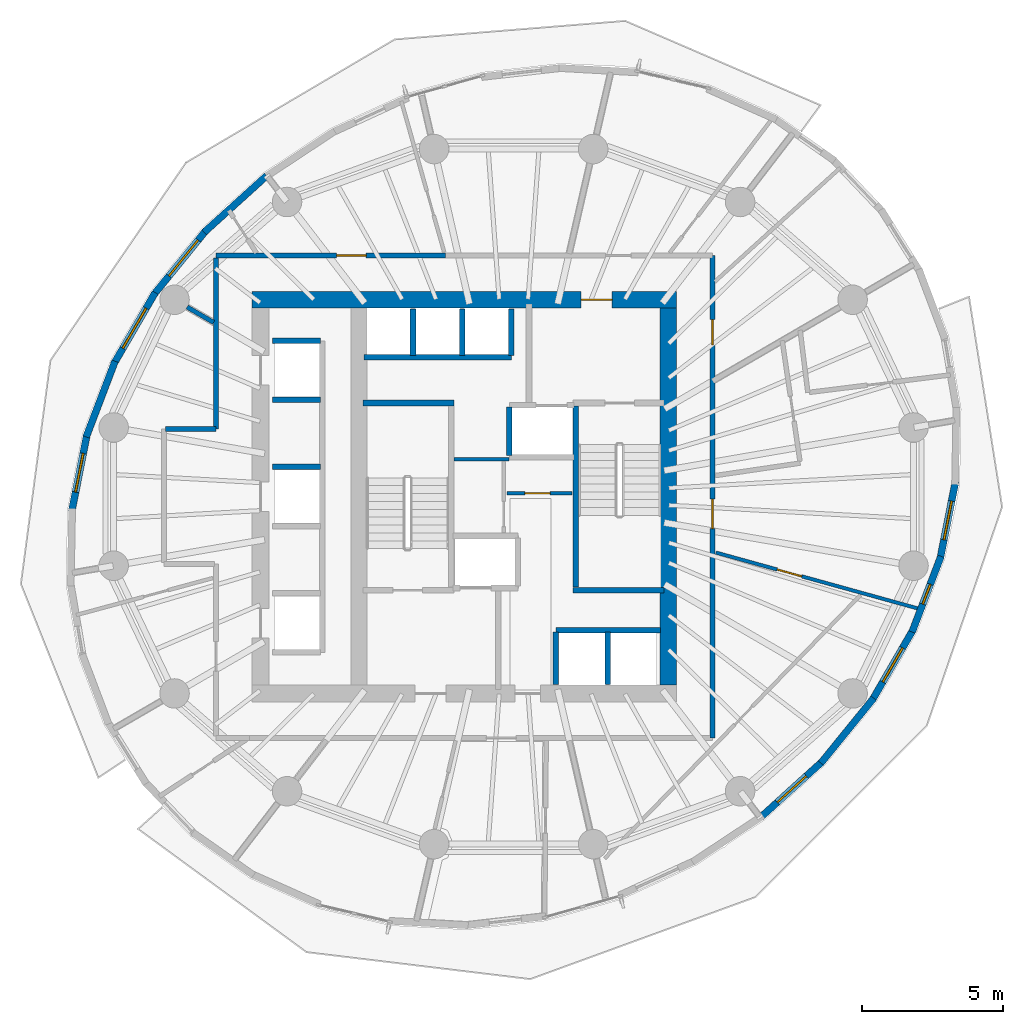
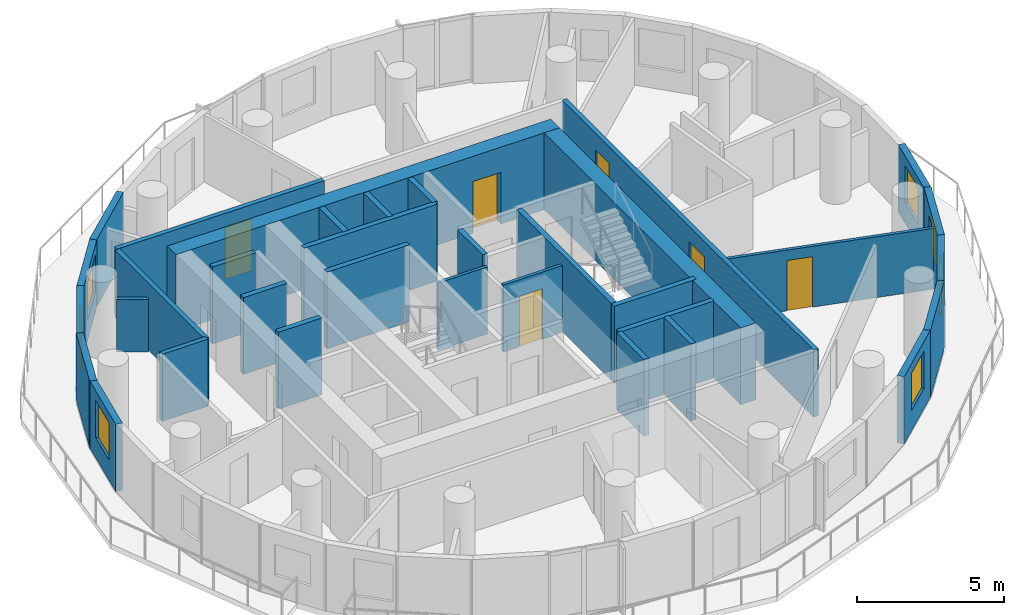
# One storey, part 6 of 13: 34 walls, 7 windows, 6 doors, 13 openings.
"""IFC4 building model written with IfcOpenShell, lengths in metres."""

from ifc_helpers import new_model, si_unit, direction, frame, frame_2d, origin, place, context, subcontext, project, spatial, rectangle, extrude, material, layer, layer_set, type_object, element, fill, save


model = new_model("IFC4")

# Units and contexts
model_context = context("Model", 3, precision=1e-05, world=origin(), true_north=direction((0.0, 1.0)))
body_context = subcontext(model_context, "Body", "Model", "MODEL_VIEW")
ifc_project = project(units=[si_unit("LENGTHUNIT", "METRE"), si_unit("AREAUNIT", "SQUARE_METRE"), si_unit("VOLUMEUNIT", "CUBIC_METRE"), si_unit("PLANEANGLEUNIT", "RADIAN"), si_unit("MASSUNIT", "GRAM", prefix="KILO")], contexts=[model_context])

# Site, building, storey
site_placement = place(None, origin())
site = spatial("IfcSite", under=ifc_project, at=site_placement, CompositionType="ELEMENT")
building_placement = place(site_placement, origin())
building = spatial("IfcBuilding", under=site, at=building_placement, Name="Veldorim Arch Residences", CompositionType="ELEMENT")
storey_placement = place(building_placement, frame((0.0, 0.0, 155.360107421875)))
storey = spatial("IfcBuildingStorey", under=building, at=storey_placement, Name="L46", CompositionType="ELEMENT", Elevation=155.360107421875)

# Wall, opening, door
ifc_material_1 = material(Name="Acoustic Gypsum Board", Category="gypsum")
ifc_layer_1 = layer(ifc_material_1, 0.125, Name="Acoustic Stud Room Partition Wall 125")
ifc_layer_set_1 = layer_set([ifc_layer_1], Name="Acoustic Gypsum Board")
wall_type_1 = type_object("IfcWallType", Name="Acoustic Stud Room Partition Wall 125", PredefinedType="PARTITIONING", material=ifc_layer_set_1)
wall_1_placement = place(storey_placement, frame((31.760009765625, 24.1201171875, 0.0), z_axis=(0.0, 0.0, 1.0), x_axis=(1.0, 0.0, 0.0)))
wall_1 = element("IfcWall", 1, at=wall_1_placement, inside=storey, type_object=wall_type_1, Name="L46 interior wall WL-CA-L46-2", PredefinedType="PARTITIONING", context=body_context, shape_type="SweptSolid", body=[
    extrude(rectangle(XDim=2.320068359375, YDim=0.125, at=frame_2d((1.16015625, 0.0))), origin(), (0.0, 0.0, 1.0), 2.794921875),
])
opening_1_placement = place(wall_1_placement, frame((0.639892578125, 0.0, 0.0)))
opening_1 = element("IfcOpeningElement", 2, at=opening_1_placement, cuts=wall_1, Name="Opening DR-SVC", PredefinedType="OPENING", context=body_context, shape_type="SweptSolid", body=[
    extrude(rectangle(XDim=0.89990234375, YDim=2.10009765625, at=frame_2d((0.449951171875, 1.050048828125))), frame((0.0, 0.072509765625, 0.0), z_axis=(0.0, -1.0, 0.0), x_axis=(1.0, 0.0, 0.0)), (0.0, 0.0, 1.0), 0.14501953125),
])
ifc_material_2 = material(Name="Fire-Rated Steel", Category="steel")
door_type_1 = type_object("IfcDoorType", Name="Riser, Shelter & Plant Room Rated Steel Door 900x2100", OperationType="SINGLE_SWING_LEFT", PredefinedType="DOOR", material=ifc_material_2)
door_1_placement = place(opening_1_placement, origin())
door_1 = element("IfcDoor", 3, at=door_1_placement, inside=storey, type_object=door_type_1, Name="L46 interior door DR-L46-CA2", OperationType="SINGLE_SWING_RIGHT", OverallHeight=2.10009765625, OverallWidth=0.89990234375, PredefinedType="DOOR", context=body_context, shape_type="SweptSolid", body=[
    extrude(rectangle(XDim=0.89990234375, YDim=2.10009765625, at=frame_2d((0.449951171875, 1.050048828125))), frame((0.0, 0.02490234375, 0.0), z_axis=(0.0, -1.0, 0.0), x_axis=(1.0, 0.0, 0.0)), (0.0, 0.0, 1.0), 0.050048828125),
])
fill(opening_1, door_1)

# Wall
wall_2_placement = place(storey_placement, frame((29.889892578125, 25.330078125, 0.0), z_axis=(0.0, 0.0, 1.0), x_axis=(1.0, 0.0, 0.0)))
element("IfcWall", 4, at=wall_2_placement, inside=storey, type_object=wall_type_1, Name="L46 interior wall WL-CA-L46-N", PredefinedType="PARTITIONING", context=body_context, shape_type="SweptSolid", body=[
    extrude(rectangle(XDim=1.940185546875, YDim=0.125, at=frame_2d((0.97021484375, 0.0))), origin(), (0.0, 0.0, 1.0), 2.794921875),
])

# Wall, opening, door
wall_3_placement = place(storey_placement, frame((46.46630859375, 19.998046875, 0.0), z_axis=(0.0, 0.0, 1.0), x_axis=(-0.963794664313, 0.26664554195, 0.0)))
wall_3 = element("IfcWall", 5, at=wall_3_placement, inside=storey, type_object=wall_type_1, Name="L46 interior wall WL-RES-L46-017", PredefinedType="PARTITIONING", context=body_context, shape_type="SweptSolid", body=[
    extrude(rectangle(XDim=7.543701171875, YDim=0.125, at=frame_2d((3.77197265625, 0.0))), origin(), (0.0, 0.0, 1.0), 2.531982421875),
])
opening_2_placement = place(wall_3_placement, frame((4.380859375, 0.0, 0.0)))
opening_2 = element("IfcOpeningElement", 6, at=opening_2_placement, cuts=wall_3, Name="Opening DR-INT", PredefinedType="OPENING", context=body_context, shape_type="SweptSolid", body=[
    extrude(rectangle(XDim=0.89990234375, YDim=2.10009765625, at=frame_2d((0.449951171875, 1.050048828125))), frame((0.0, 0.072509765625, 0.0), z_axis=(0.0, -1.0, 0.0), x_axis=(1.0, 0.0, 0.0)), (0.0, 0.0, 1.0), 0.14501953125),
])
ifc_material_3 = material(Name="Engineered Timber", Category="wood")
door_type_2 = type_object("IfcDoorType", Name="Apartment Internal Room Timber Door 900x2100", OperationType="SINGLE_SWING_LEFT", PredefinedType="DOOR", material=ifc_material_3)
door_2_placement = place(opening_2_placement, origin())
door_2 = element("IfcDoor", 7, at=door_2_placement, inside=storey, type_object=door_type_2, Name="L46 interior door DR-RES-L46-006", OperationType="SINGLE_SWING_RIGHT", OverallHeight=2.10009765625, OverallWidth=0.89990234375, PredefinedType="DOOR", context=body_context, shape_type="SweptSolid", body=[
    extrude(rectangle(XDim=0.89990234375, YDim=2.10009765625, at=frame_2d((0.449951171875, 1.050048828125))), frame((0.0, 0.02490234375, 0.0), z_axis=(0.0, -1.0, 0.0), x_axis=(1.0, 0.0, 0.0)), (0.0, 0.0, 1.0), 0.050048828125),
])
fill(opening_2, door_2)

# Wall, openings, doors
ifc_material_4 = material(Name="Lightweight Masonry Block & Gypsum", Category="masonry")
ifc_layer_2 = layer(ifc_material_4, 0.179931640625, Name="Compartment & Corridor Fire-Rated Party Wall 180")
ifc_layer_set_2 = layer_set([ifc_layer_2], Name="Lightweight Masonry Block & Gypsum")
wall_type_2 = type_object("IfcWallType", Name="Compartment & Corridor Fire-Rated Party Wall 180", PredefinedType="PARTITIONING", material=ifc_layer_set_2)
wall_4_placement = place(storey_placement, frame((39.080078125, 32.580078125, 0.0), z_axis=(0.0, 0.0, 1.0), x_axis=(0.0, -1.0, 0.0)))
wall_4 = element("IfcWall", 8, at=wall_4_placement, inside=storey, type_object=wall_type_2, Name="L46 interior wall WL-RES-L46-002", PredefinedType="PARTITIONING", context=body_context, shape_type="SweptSolid", body=[
    extrude(rectangle(XDim=17.16015625, YDim=0.179931640625, at=frame_2d((8.580078125, 0.0))), origin(), (0.0, 0.0, 1.0), 2.794921875),
])
opening_3_placement = place(wall_4_placement, frame((8.667236328125, 0.0, 0.0)))
opening_3 = element("IfcOpeningElement", 9, at=opening_3_placement, cuts=wall_4, Name="Opening DR-FLT", PredefinedType="OPENING", context=body_context, shape_type="SweptSolid", body=[
    extrude(rectangle(XDim=1.050048828125, YDim=2.14990234375, at=frame_2d((0.52490234375, 1.074951171875))), frame((0.0, 0.099853515625, 0.0), z_axis=(0.0, -1.0, 0.0), x_axis=(1.0, 0.0, 0.0)), (0.0, 0.0, 1.0), 0.199951171875),
])
opening_4_placement = place(wall_4_placement, frame((2.283935546875, 0.0, 0.0)))
opening_4 = element("IfcOpeningElement", 10, at=opening_4_placement, cuts=wall_4, Name="Opening DR-SVC", PredefinedType="OPENING", context=body_context, shape_type="SweptSolid", body=[
    extrude(rectangle(XDim=0.89990234375, YDim=2.10009765625, at=frame_2d((0.449951171875, 1.050048828125))), frame((0.0, 0.099853515625, 0.0), z_axis=(0.0, -1.0, 0.0), x_axis=(1.0, 0.0, 0.0)), (0.0, 0.0, 1.0), 0.199951171875),
])
ifc_material_5 = material(Name="Fire-Rated Timber", Category="wood")
door_type_3 = type_object("IfcDoorType", Name="Apartment Entrance Solid-Core Fire Door 1050x2150", OperationType="SINGLE_SWING_LEFT", PredefinedType="DOOR", material=ifc_material_5)
door_3_placement = place(opening_3_placement, origin())
door_3 = element("IfcDoor", 11, at=door_3_placement, inside=storey, type_object=door_type_3, Name="L46 interior door DR-RES-L46-004", OperationType="SINGLE_SWING_RIGHT", OverallHeight=2.14990234375, OverallWidth=1.050048828125, PredefinedType="DOOR", context=body_context, shape_type="SweptSolid", body=[
    extrude(rectangle(XDim=1.050048828125, YDim=2.14990234375, at=frame_2d((0.52490234375, 1.074951171875))), frame((0.0, 0.02490234375, 0.0), z_axis=(0.0, -1.0, 0.0), x_axis=(1.0, 0.0, 0.0)), (0.0, 0.0, 1.0), 0.050048828125),
])
fill(opening_3, door_3)
door_4_placement = place(opening_4_placement, origin())
door_4 = element("IfcDoor", 12, at=door_4_placement, inside=storey, type_object=door_type_1, Name="L46 interior door DR-RES-L46-010", OperationType="SINGLE_SWING_RIGHT", OverallHeight=2.10009765625, OverallWidth=0.89990234375, PredefinedType="DOOR", context=body_context, shape_type="SweptSolid", body=[
    extrude(rectangle(XDim=0.89990234375, YDim=2.10009765625, at=frame_2d((0.449951171875, 1.050048828125))), frame((0.0, 0.02490234375, 0.0), z_axis=(0.0, -1.0, 0.0), x_axis=(1.0, 0.0, 0.0)), (0.0, 0.0, 1.0), 0.050048828125),
])
fill(opening_4, door_4)

# Wall, opening, door
wall_5_placement = place(storey_placement, frame((21.419921875, 32.580078125, 0.0), z_axis=(0.0, 0.0, 1.0), x_axis=(1.0, 0.0, 0.0)))
wall_5 = element("IfcWall", 13, at=wall_5_placement, inside=storey, type_object=wall_type_2, Name="L46 interior wall WL-RES-L46-004", PredefinedType="PARTITIONING", context=body_context, shape_type="SweptSolid", body=[
    extrude(rectangle(XDim=8.16455078125, YDim=0.179931640625, at=frame_2d((4.082275390625, 0.0))), origin(), (0.0, 0.0, 1.0), 2.794921875),
])
opening_5_placement = place(wall_5_placement, frame((4.290771484375, 0.0, 0.0)))
opening_5 = element("IfcOpeningElement", 14, at=opening_5_placement, cuts=wall_5, Name="Opening DR-FLT", PredefinedType="OPENING", context=body_context, shape_type="SweptSolid", body=[
    extrude(rectangle(XDim=1.050048828125, YDim=2.14990234375, at=frame_2d((0.52490234375, 1.074951171875))), frame((0.0, 0.099853515625, 0.0), z_axis=(0.0, -1.0, 0.0), x_axis=(1.0, 0.0, 0.0)), (0.0, 0.0, 1.0), 0.199951171875),
])
door_5_placement = place(opening_5_placement, origin())
door_5 = element("IfcDoor", 15, at=door_5_placement, inside=storey, type_object=door_type_3, Name="L46 interior door DR-RES-L46-012", OperationType="SINGLE_SWING_RIGHT", OverallHeight=2.14990234375, OverallWidth=1.050048828125, PredefinedType="DOOR", context=body_context, shape_type="SweptSolid", body=[
    extrude(rectangle(XDim=1.050048828125, YDim=2.14990234375, at=frame_2d((0.52490234375, 1.074951171875))), frame((0.0, 0.02490234375, 0.0), z_axis=(0.0, -1.0, 0.0), x_axis=(1.0, 0.0, 0.0)), (0.0, 0.0, 1.0), 0.050048828125),
])
fill(opening_5, door_5)

# Walls
wall_6_placement = place(storey_placement, frame((21.419921875, 26.39990234375, 0.0), z_axis=(0.0, 0.0, 1.0), x_axis=(0.0, 1.0, 0.0)))
element("IfcWall", 16, at=wall_6_placement, inside=storey, type_object=wall_type_2, Name="L46 interior wall WL-RES-L46-005", PredefinedType="PARTITIONING", context=body_context, shape_type="SweptSolid", body=[
    extrude(rectangle(XDim=6.080078125, YDim=0.179931640625, at=frame_2d((3.0400390625, 0.0))), origin(), (0.0, 0.0, 1.0), 2.794921875),
])
wall_7_placement = place(storey_placement, frame((19.6298828125, 26.39990234375, 0.0), z_axis=(0.0, 0.0, 1.0), x_axis=(1.0, 0.0, 0.0)))
element("IfcWall", 17, at=wall_7_placement, inside=storey, type_object=wall_type_2, Name="L46 interior wall WL-RES-L46-010", PredefinedType="PARTITIONING", context=body_context, shape_type="SweptSolid", body=[
    extrude(rectangle(XDim=1.7900390625, YDim=0.179931640625, at=frame_2d((0.89501953125, 0.0))), origin(), (0.0, 0.0, 1.0), 2.794921875),
])
ifc_material_6 = material(Name="Concrete C50/60", Category="concrete")
ifc_layer_3 = layer(ifc_material_6, 0.199951171875, Name="Core Stair & Lift Shaft Enclosure Wall 200")
ifc_layer_set_3 = layer_set([ifc_layer_3], Name="Concrete C50/60")
wall_type_3 = type_object("IfcWallType", Name="Core Stair & Lift Shaft Enclosure Wall 200", PredefinedType="SHEAR", material=ifc_layer_set_3)
wall_8_placement = place(storey_placement, frame((26.64990234375, 27.330078125, 0.0), z_axis=(0.0, 0.0, 1.0), x_axis=(1.0, 0.0, 0.0)))
element("IfcWall", 18, at=wall_8_placement, inside=storey, type_object=wall_type_3, Name="L46 shaft wall WL-SHF-L46-ST1-N", PredefinedType="SHEAR", context=body_context, shape_type="SweptSolid", body=[
    extrude(rectangle(XDim=3.239990234375, YDim=0.199951171875, at=frame_2d((1.6201171875, 0.0))), origin(), (0.0, 0.0, 1.0), 3.199951171875),
])
wall_9_placement = place(storey_placement, frame((34.2099609375, 20.780029296875, 0.0), z_axis=(0.0, 0.0, 1.0), x_axis=(0.0, 1.0, 0.0)))
element("IfcWall", 19, at=wall_9_placement, inside=storey, type_object=wall_type_3, Name="L46 shaft wall WL-SHF-L46-ST2-W", PredefinedType="SHEAR", context=body_context, shape_type="SweptSolid", body=[
    extrude(rectangle(XDim=6.43994140625, YDim=0.199951171875, at=frame_2d((3.219970703125, 0.0))), origin(), (0.0, 0.0, 1.0), 3.199951171875),
])
wall_10_placement = place(storey_placement, frame((34.110107421875, 20.669921875, 0.0), z_axis=(0.0, 0.0, 1.0), x_axis=(1.0, 0.0, 0.0)))
element("IfcWall", 20, at=wall_10_placement, inside=storey, type_object=wall_type_3, Name="L46 shaft wall WL-SHF-L46-ST2-S", PredefinedType="SHEAR", context=body_context, shape_type="SweptSolid", body=[
    extrude(rectangle(XDim=3.239990234375, YDim=0.199951171875, at=frame_2d((1.6201171875, 0.0))), origin(), (0.0, 0.0, 1.0), 3.199951171875),
])
for number, where, z_axis, x_axis, name in (
    (21, (31.85009765625, 25.469970703125, 0.0), (0.0, 0.0, 1.0), (0.0, 1.0, 0.0), "L46 shaft wall WL-FL02-L46-W"),
    (22, (23.419921875, 29.5400390625, 0.0), (0.0, 0.0, 1.0), (1.0, 0.0, 0.0), "L46 shaft wall WL-B2-L46-N"),
    (23, (23.419921875, 25.06005859375, 0.0), (0.0, 0.0, 1.0), (1.0, 0.0, 0.0), "L46 shaft wall WL-B2-L46-D2A"),
    (24, (23.419921875, 27.43994140625, 0.0), (0.0, 0.0, 1.0), (1.0, 0.0, 0.0), "L46 shaft wall WL-B2-L46-D2B"),
):
    element("IfcWall", number, at=place(storey_placement, frame(where, z_axis=z_axis, x_axis=x_axis)), inside=storey, type_object=wall_type_3, Name=name, PredefinedType="SHEAR", context=body_context, shape_type="SweptSolid", body=[
        extrude(rectangle(XDim=1.7099609375, YDim=0.199951171875, at=frame_2d((0.85498046875, 0.0))), origin(), (0.0, 0.0, 1.0), 3.199951171875),
    ])
wall_11_placement = place(storey_placement, frame((26.679931640625, 28.949951171875, 0.0), z_axis=(0.0, 0.0, 1.0), x_axis=(1.0, 0.0, 0.0)))
element("IfcWall", 25, at=wall_11_placement, inside=storey, type_object=wall_type_3, Name="L46 shaft wall WL-B3-L46-S", PredefinedType="SHEAR", context=body_context, shape_type="SweptSolid", body=[
    extrude(rectangle(XDim=5.239990234375, YDim=0.199951171875, at=frame_2d((2.6201171875, 0.0))), origin(), (0.0, 0.0, 1.0), 3.199951171875),
])
for number, where, z_axis, x_axis, name in (
    (26, (31.919921875, 29.02001953125, 0.0), (0.0, 0.0, 1.0), (0.0, 1.0, 0.0), "L46 shaft wall WL-B3-L46-E"),
    (27, (28.425048828125, 29.02001953125, 0.0), (0.0, 0.0, 1.0), (0.0, 1.0, 0.0), "L46 shaft wall WL-B3-L46-D1"),
    (28, (30.175048828125, 29.02001953125, 0.0), (0.0, 0.0, 1.0), (0.0, 1.0, 0.0), "L46 shaft wall WL-B3-L46-D2"),
):
    element("IfcWall", number, at=place(storey_placement, frame(where, z_axis=z_axis, x_axis=x_axis)), inside=storey, type_object=wall_type_3, Name=name, PredefinedType="SHEAR", context=body_context, shape_type="SweptSolid", body=[
        extrude(rectangle(XDim=1.659912109375, YDim=0.199951171875, at=frame_2d((0.830078125, 0.0))), origin(), (0.0, 0.0, 1.0), 3.199951171875),
    ])
wall_12_placement = place(storey_placement, frame((33.5, 19.25, 0.0), z_axis=(0.0, 0.0, 1.0), x_axis=(1.0, 0.0, 0.0)))
element("IfcWall", 29, at=wall_12_placement, inside=storey, type_object=wall_type_3, Name="L46 shaft wall WL-OL-L46-N", PredefinedType="SHEAR", context=body_context, shape_type="SweptSolid", body=[
    extrude(rectangle(XDim=3.719970703125, YDim=0.199951171875, at=frame_2d((1.85986328125, 0.0))), origin(), (0.0, 0.0, 1.0), 3.199951171875),
])
for number, where, z_axis, x_axis, name in (
    (30, (33.5, 17.320068359375, 0.0), (0.0, 0.0, 1.0), (0.0, 1.0, 0.0), "L46 shaft wall WL-OL-L46-W"),
    (31, (35.35009765625, 17.320068359375, 0.0), (0.0, 0.0, 1.0), (0.0, 1.0, 0.0), "L46 shaft wall WL-OL-L46-D1"),
):
    element("IfcWall", number, at=place(storey_placement, frame(where, z_axis=z_axis, x_axis=x_axis)), inside=storey, type_object=wall_type_3, Name=name, PredefinedType="SHEAR", context=body_context, shape_type="SweptSolid", body=[
        extrude(rectangle(XDim=1.85986328125, YDim=0.199951171875, at=frame_2d((0.929931640625, 0.0))), origin(), (0.0, 0.0, 1.0), 3.199951171875),
    ])

# Wall, opening, door
ifc_material_7 = material(Name="Concrete C50/60", Category="concrete")
ifc_layer_4 = layer(ifc_material_7, 0.60009765625, Name="Mid-Upper Central Core Shear Wall 600")
ifc_layer_set_4 = layer_set([ifc_layer_4], Name="Concrete C50/60")
wall_type_4 = type_object("IfcWallType", Name="Mid-Upper Central Core Shear Wall 600", PredefinedType="SHEAR", material=ifc_layer_set_4)
wall_13_placement = place(storey_placement, frame((22.699951171875, 31.0, 0.0), z_axis=(0.0, 0.0, 1.0), x_axis=(1.0, 0.0, 0.0)))
wall_13 = element("IfcWall", 32, at=wall_13_placement, inside=storey, type_object=wall_type_4, Name="L46 central core north shear wall", PredefinedType="SHEAR", context=body_context, shape_type="SweptSolid", body=[
    extrude(rectangle(XDim=15.10009765625, YDim=0.60009765625, at=frame_2d((7.550048828125, 0.0))), origin(), (0.0, 0.0, 1.0), 3.199951171875),
])
opening_6_placement = place(wall_13_placement, frame((11.699951171875, 0.0, 0.0)))
opening_6 = element("IfcOpeningElement", 33, at=opening_6_placement, cuts=wall_13, Name="Opening DR-FFL", PredefinedType="OPENING", context=body_context, shape_type="SweptSolid", body=[
    extrude(rectangle(XDim=1.10009765625, YDim=2.14990234375, at=frame_2d((0.550048828125, 1.074951171875))), frame((0.0, 0.31005859375, 0.0), z_axis=(0.0, -1.0, 0.0), x_axis=(1.0, 0.0, 0.0)), (0.0, 0.0, 1.0), 0.6201171875),
])
ifc_material_8 = material(Name="Fire-Rated Steel & Vision Glass", Category="steel")
door_type_4 = type_object("IfcDoorType", Name="Firefighting Lobby Smoke-Stop Fire Door 1100x2150", OperationType="SINGLE_SWING_LEFT", PredefinedType="DOOR", material=ifc_material_8)
door_6_placement = place(opening_6_placement, origin())
door_6 = element("IfcDoor", 34, at=door_6_placement, inside=storey, type_object=door_type_4, Name="L46 interior door DR-L46-FFL2", OperationType="SINGLE_SWING_LEFT", OverallHeight=2.14990234375, OverallWidth=1.10009765625, PredefinedType="DOOR", context=body_context, shape_type="SweptSolid", body=[
    extrude(rectangle(XDim=1.10009765625, YDim=2.14990234375, at=frame_2d((0.550048828125, 1.074951171875))), frame((0.0, 0.02490234375, 0.0), z_axis=(0.0, -1.0, 0.0), x_axis=(1.0, 0.0, 0.0)), (0.0, 0.0, 1.0), 0.050048828125),
])
fill(opening_6, door_6)

# Walls
wall_14_placement = place(storey_placement, frame((37.5, 17.300048828125, 0.0), z_axis=(0.0, 0.0, 1.0), x_axis=(0.0, 1.0, 0.0)))
element("IfcWall", 35, at=wall_14_placement, inside=storey, type_object=wall_type_4, Name="L46 central core east shear wall", PredefinedType="SHEAR", context=body_context, shape_type="SweptSolid", body=[
    extrude(rectangle(XDim=13.39990234375, YDim=0.60009765625, at=frame_2d((6.699951171875, 0.0))), origin(), (0.0, 0.0, 1.0), 3.199951171875),
])
ifc_material_9 = material(Name="Precast concrete C40/50", Category="concrete")
ifc_layer_5 = layer(ifc_material_9, 0.25, Name="Tower Terracotta Spandrel & Pier Wall 250")
ifc_layer_set_5 = layer_set([ifc_layer_5], Name="Precast concrete C40/50")
wall_type_5 = type_object("IfcWallType", Name="Tower Terracotta Spandrel & Pier Wall 250", PredefinedType="SOLIDWALL", material=ifc_layer_set_5)
wall_15_placement = place(storey_placement, frame((20.994873046875, 33.3984375, 0.0), z_axis=(0.0, 0.0, 1.0), x_axis=(0.741367932595, 0.671098791922, 0.0)))
element("IfcWall", 36, at=wall_15_placement, inside=storey, type_object=wall_type_5, Name="L46 terracotta facade wall 10", PredefinedType="SOLIDWALL", context=body_context, shape_type="SweptSolid", body=[
    extrude(rectangle(XDim=2.998291015625, YDim=0.25, at=frame_2d((1.4990234375, 0.0))), origin(), (0.0, 0.0, 1.0), 2.7998046875),
])

# Wall, opening, window
wall_16_placement = place(storey_placement, frame((19.19287109375, 31.166748046875, 0.0), z_axis=(0.0, 0.0, 1.0), x_axis=(0.630478385784, 0.776206805599, 0.0)))
wall_16 = element("IfcWall", 37, at=wall_16_placement, inside=storey, type_object=wall_type_5, Name="L46 terracotta facade wall 11", PredefinedType="SOLIDWALL", context=body_context, shape_type="SweptSolid", body=[
    extrude(rectangle(XDim=2.97705078125, YDim=0.25, at=frame_2d((1.488525390625, 0.0))), origin(), (0.0, 0.0, 1.0), 2.7998046875),
])
opening_7_placement = place(wall_16_placement, frame((0.873046875, 0.0, 0.85009765625)))
opening_7 = element("IfcOpeningElement", 38, at=opening_7_placement, cuts=wall_16, Name="Opening WN-03", PredefinedType="OPENING", context=body_context, shape_type="SweptSolid", body=[
    extrude(rectangle(XDim=1.64990234375, YDim=1.550048828125, at=frame_2d((0.824951171875, 0.77490234375))), frame((0.0, 0.135009765625, 0.0), z_axis=(0.0, -1.0, 0.0), x_axis=(1.0, 0.0, 0.0)), (0.0, 0.0, 1.0), 0.27001953125),
])
ifc_material_10 = material(Name="Laminated Low-E Glass", Category="glass")
window_type_1 = type_object("IfcWindowType", Name="Residential Wide Window 1650x1550", PartitioningType="SINGLE_PANEL", PredefinedType="WINDOW", material=ifc_material_10)
window_1_placement = place(opening_7_placement, origin())
window_1 = element("IfcWindow", 39, at=window_1_placement, inside=storey, type_object=window_type_1, Name="L46 solar-control facade window 11", OverallHeight=1.550048828125, OverallWidth=1.64990234375, PartitioningType="SINGLE_PANEL", PredefinedType="WINDOW", context=body_context, shape_type="SweptSolid", body=[
    extrude(rectangle(XDim=1.64990234375, YDim=1.550048828125, at=frame_2d((0.824951171875, 0.77490234375))), frame((0.0, 0.030029296875, 0.0), z_axis=(0.0, -1.0, 0.0), x_axis=(1.0, 0.0, 0.0)), (0.0, 0.0, 1.0), 0.06005859375),
])
fill(opening_7, window_1)

wall_17_placement = place(storey_placement, frame((17.780517578125, 28.716552734375, 0.0), z_axis=(0.0, 0.0, 1.0), x_axis=(0.502009170613, 0.864862296912, 0.0)))
wall_17 = element("IfcWall", 40, at=wall_17_placement, inside=storey, type_object=wall_type_5, Name="L46 terracotta facade wall 12", PredefinedType="SOLIDWALL", context=body_context, shape_type="SweptSolid", body=[
    extrude(rectangle(XDim=2.93701171875, YDim=0.25, at=frame_2d((1.468505859375, 0.0))), origin(), (0.0, 0.0, 1.0), 2.7998046875),
])
opening_8_placement = place(wall_17_placement, frame((0.64306640625, 0.0, 0.85009765625)))
opening_8 = element("IfcOpeningElement", 41, at=opening_8_placement, cuts=wall_17, Name="Opening WN-03", PredefinedType="OPENING", context=body_context, shape_type="SweptSolid", body=[
    extrude(rectangle(XDim=1.64990234375, YDim=1.550048828125, at=frame_2d((0.824951171875, 0.77490234375))), frame((0.0, 0.135009765625, 0.0), z_axis=(0.0, -1.0, 0.0), x_axis=(1.0, 0.0, 0.0)), (0.0, 0.0, 1.0), 0.27001953125),
])
window_2_placement = place(opening_8_placement, origin())
window_2 = element("IfcWindow", 42, at=window_2_placement, inside=storey, type_object=window_type_1, Name="L46 solar-control facade window 12", OverallHeight=1.550048828125, OverallWidth=1.64990234375, PartitioningType="SINGLE_PANEL", PredefinedType="WINDOW", context=body_context, shape_type="SweptSolid", body=[
    extrude(rectangle(XDim=1.64990234375, YDim=1.550048828125, at=frame_2d((0.824951171875, 0.77490234375))), frame((0.0, 0.030029296875, 0.0), z_axis=(0.0, -1.0, 0.0), x_axis=(1.0, 0.0, 0.0)), (0.0, 0.0, 1.0), 0.06005859375),
])
fill(opening_8, window_2)

# Wall
wall_18_placement = place(storey_placement, frame((16.801513671875, 26.123046875, 0.0), z_axis=(0.0, 0.0, 1.0), x_axis=(0.356178525313, 0.934417924756, 0.0)))
element("IfcWall", 43, at=wall_18_placement, inside=storey, type_object=wall_type_5, Name="L46 terracotta facade wall 13", PredefinedType="SOLIDWALL", context=body_context, shape_type="SweptSolid", body=[
    extrude(rectangle(XDim=2.881591796875, YDim=0.25, at=frame_2d((1.44091796875, 0.0))), origin(), (0.0, 0.0, 1.0), 2.7998046875),
])

# Wall, opening, window
wall_19_placement = place(storey_placement, frame((16.28515625, 23.465576171875, 0.0), z_axis=(0.0, 0.0, 1.0), x_axis=(0.194099406303, 0.980981865517, 0.0)))
wall_19 = element("IfcWall", 44, at=wall_19_placement, inside=storey, type_object=wall_type_5, Name="L46 terracotta facade wall 14", PredefinedType="SOLIDWALL", context=body_context, shape_type="SweptSolid", body=[
    extrude(rectangle(XDim=2.8173828125, YDim=0.25, at=frame_2d((1.40869140625, 0.0))), origin(), (0.0, 0.0, 1.0), 2.7998046875),
])
opening_9_placement = place(wall_19_placement, frame((0.708984375, 0.0, 0.85009765625)))
opening_9 = element("IfcOpeningElement", 45, at=opening_9_placement, cuts=wall_19, Name="Opening WN-02", PredefinedType="OPENING", context=body_context, shape_type="SweptSolid", body=[
    extrude(rectangle(XDim=1.39990234375, YDim=1.550048828125, at=frame_2d((0.699951171875, 0.77490234375))), frame((0.0, 0.135009765625, 0.0), z_axis=(0.0, -1.0, 0.0), x_axis=(1.0, 0.0, 0.0)), (0.0, 0.0, 1.0), 0.27001953125),
])
ifc_material_11 = material(Name="Laminated Low-E Glass", Category="glass")
window_type_2 = type_object("IfcWindowType", Name="Residential Casement Window 1400x1550", PartitioningType="SINGLE_PANEL", PredefinedType="WINDOW", material=ifc_material_11)
window_3_placement = place(opening_9_placement, origin())
window_3 = element("IfcWindow", 46, at=window_3_placement, inside=storey, type_object=window_type_2, Name="L46 solar-control facade window 14", OverallHeight=1.550048828125, OverallWidth=1.39990234375, PartitioningType="SINGLE_PANEL", PredefinedType="WINDOW", context=body_context, shape_type="SweptSolid", body=[
    extrude(rectangle(XDim=1.39990234375, YDim=1.550048828125, at=frame_2d((0.699951171875, 0.77490234375))), frame((0.0, 0.030029296875, 0.0), z_axis=(0.0, -1.0, 0.0), x_axis=(1.0, 0.0, 0.0)), (0.0, 0.0, 1.0), 0.06005859375),
])
fill(opening_9, window_3)

wall_20_placement = place(storey_placement, frame((43.005126953125, 14.6015625, 0.0), z_axis=(0.0, 0.0, 1.0), x_axis=(-0.741367932595, -0.671098791922, 0.0)))
wall_20 = element("IfcWall", 47, at=wall_20_placement, inside=storey, type_object=wall_type_5, Name="L46 terracotta facade wall 28", PredefinedType="SOLIDWALL", context=body_context, shape_type="SweptSolid", body=[
    extrude(rectangle(XDim=2.998291015625, YDim=0.25, at=frame_2d((1.4990234375, 0.0))), origin(), (0.0, 0.0, 1.0), 2.7998046875),
])
opening_10_placement = place(wall_20_placement, frame((0.799072265625, 0.0, 0.85009765625)))
opening_10 = element("IfcOpeningElement", 48, at=opening_10_placement, cuts=wall_20, Name="Opening WN-02", PredefinedType="OPENING", context=body_context, shape_type="SweptSolid", body=[
    extrude(rectangle(XDim=1.39990234375, YDim=1.550048828125, at=frame_2d((0.699951171875, 0.77490234375))), frame((0.0, 0.135009765625, 0.0), z_axis=(0.0, -1.0, 0.0), x_axis=(1.0, 0.0, 0.0)), (0.0, 0.0, 1.0), 0.27001953125),
])
window_4_placement = place(opening_10_placement, origin())
window_4 = element("IfcWindow", 49, at=window_4_placement, inside=storey, type_object=window_type_2, Name="L46 solar-control facade window 28", OverallHeight=1.550048828125, OverallWidth=1.39990234375, PartitioningType="SINGLE_PANEL", PredefinedType="WINDOW", context=body_context, shape_type="SweptSolid", body=[
    extrude(rectangle(XDim=1.39990234375, YDim=1.550048828125, at=frame_2d((0.699951171875, 0.77490234375))), frame((0.0, 0.030029296875, 0.0), z_axis=(0.0, -1.0, 0.0), x_axis=(1.0, 0.0, 0.0)), (0.0, 0.0, 1.0), 0.06005859375),
])
fill(opening_10, window_4)

# Wall
wall_21_placement = place(storey_placement, frame((44.80712890625, 16.833251953125, 0.0), z_axis=(0.0, 0.0, 1.0), x_axis=(-0.630478385784, -0.776206805599, 0.0)))
element("IfcWall", 50, at=wall_21_placement, inside=storey, type_object=wall_type_5, Name="L46 terracotta facade wall 29", PredefinedType="SOLIDWALL", context=body_context, shape_type="SweptSolid", body=[
    extrude(rectangle(XDim=2.97705078125, YDim=0.25, at=frame_2d((1.488525390625, 0.0))), origin(), (0.0, 0.0, 1.0), 2.7998046875),
])

# Wall, opening, window
wall_22_placement = place(storey_placement, frame((46.219482421875, 19.283447265625, 0.0), z_axis=(0.0, 0.0, 1.0), x_axis=(-0.502009170613, -0.864862296912, 0.0)))
wall_22 = element("IfcWall", 51, at=wall_22_placement, inside=storey, type_object=wall_type_5, Name="L46 terracotta facade wall 30", PredefinedType="SOLIDWALL", context=body_context, shape_type="SweptSolid", body=[
    extrude(rectangle(XDim=2.93701171875, YDim=0.25, at=frame_2d((1.468505859375, 0.0))), origin(), (0.0, 0.0, 1.0), 2.7998046875),
])
opening_11_placement = place(wall_22_placement, frame((0.76806640625, 0.0, 0.85009765625)))
opening_11 = element("IfcOpeningElement", 52, at=opening_11_placement, cuts=wall_22, Name="Opening WN-02", PredefinedType="OPENING", context=body_context, shape_type="SweptSolid", body=[
    extrude(rectangle(XDim=1.39990234375, YDim=1.550048828125, at=frame_2d((0.699951171875, 0.77490234375))), frame((0.0, 0.135009765625, 0.0), z_axis=(0.0, -1.0, 0.0), x_axis=(1.0, 0.0, 0.0)), (0.0, 0.0, 1.0), 0.27001953125),
])
window_5_placement = place(opening_11_placement, origin())
window_5 = element("IfcWindow", 53, at=window_5_placement, inside=storey, type_object=window_type_2, Name="L46 solar-control facade window 30", OverallHeight=1.550048828125, OverallWidth=1.39990234375, PartitioningType="SINGLE_PANEL", PredefinedType="WINDOW", context=body_context, shape_type="SweptSolid", body=[
    extrude(rectangle(XDim=1.39990234375, YDim=1.550048828125, at=frame_2d((0.699951171875, 0.77490234375))), frame((0.0, 0.030029296875, 0.0), z_axis=(0.0, -1.0, 0.0), x_axis=(1.0, 0.0, 0.0)), (0.0, 0.0, 1.0), 0.06005859375),
])
fill(opening_11, window_5)

wall_23_placement = place(storey_placement, frame((47.198486328125, 21.876953125, 0.0), z_axis=(0.0, 0.0, 1.0), x_axis=(-0.356178525313, -0.934417924756, 0.0)))
wall_23 = element("IfcWall", 54, at=wall_23_placement, inside=storey, type_object=wall_type_5, Name="L46 terracotta facade wall 31", PredefinedType="SOLIDWALL", context=body_context, shape_type="SweptSolid", body=[
    extrude(rectangle(XDim=2.881591796875, YDim=0.25, at=frame_2d((1.44091796875, 0.0))), origin(), (0.0, 0.0, 1.0), 2.7998046875),
])
opening_12_placement = place(wall_23_placement, frame((1.06591796875, 0.0, 0.85009765625)))
opening_12 = element("IfcOpeningElement", 55, at=opening_12_placement, cuts=wall_23, Name="Opening WN-04C", PredefinedType="OPENING", context=body_context, shape_type="SweptSolid", body=[
    extrude(rectangle(XDim=0.75, YDim=1.550048828125, at=frame_2d((0.375, 0.77490234375))), frame((0.0, 0.135009765625, 0.0), z_axis=(0.0, -1.0, 0.0), x_axis=(1.0, 0.0, 0.0)), (0.0, 0.0, 1.0), 0.27001953125),
])
ifc_material_12 = material(Name="Low-E Double Glazing & Aluminium", Category="aluminium")
window_type_3 = type_object("IfcWindowType", Name="Narrow Bedroom Casement Window 750x1550", PartitioningType="SINGLE_PANEL", PredefinedType="WINDOW", material=ifc_material_12)
window_6_placement = place(opening_12_placement, origin())
window_6 = element("IfcWindow", 56, at=window_6_placement, inside=storey, type_object=window_type_3, Name="L46 solar-control facade window 31", OverallHeight=1.550048828125, OverallWidth=0.75, PartitioningType="SINGLE_PANEL", PredefinedType="WINDOW", context=body_context, shape_type="SweptSolid", body=[
    extrude(rectangle(XDim=0.75, YDim=1.550048828125, at=frame_2d((0.375, 0.77490234375))), frame((0.0, 0.030029296875, 0.0), z_axis=(0.0, -1.0, 0.0), x_axis=(1.0, 0.0, 0.0)), (0.0, 0.0, 1.0), 0.06005859375),
])
fill(opening_12, window_6)

wall_24_placement = place(storey_placement, frame((47.71484375, 24.534423828125, 0.0), z_axis=(0.0, 0.0, 1.0), x_axis=(-0.194099406303, -0.980981865517, 0.0)))
wall_24 = element("IfcWall", 57, at=wall_24_placement, inside=storey, type_object=wall_type_5, Name="L46 terracotta facade wall 32", PredefinedType="SOLIDWALL", context=body_context, shape_type="SweptSolid", body=[
    extrude(rectangle(XDim=2.8173828125, YDim=0.25, at=frame_2d((1.40869140625, 0.0))), origin(), (0.0, 0.0, 1.0), 2.7998046875),
])
opening_13_placement = place(wall_24_placement, frame((0.708984375, 0.0, 0.85009765625)))
opening_13 = element("IfcOpeningElement", 58, at=opening_13_placement, cuts=wall_24, Name="Opening WN-02", PredefinedType="OPENING", context=body_context, shape_type="SweptSolid", body=[
    extrude(rectangle(XDim=1.39990234375, YDim=1.550048828125, at=frame_2d((0.699951171875, 0.77490234375))), frame((0.0, 0.135009765625, 0.0), z_axis=(0.0, -1.0, 0.0), x_axis=(1.0, 0.0, 0.0)), (0.0, 0.0, 1.0), 0.27001953125),
])
window_7_placement = place(opening_13_placement, origin())
window_7 = element("IfcWindow", 59, at=window_7_placement, inside=storey, type_object=window_type_2, Name="L46 solar-control facade window 32", OverallHeight=1.550048828125, OverallWidth=1.39990234375, PartitioningType="SINGLE_PANEL", PredefinedType="WINDOW", context=body_context, shape_type="SweptSolid", body=[
    extrude(rectangle(XDim=1.39990234375, YDim=1.550048828125, at=frame_2d((0.699951171875, 0.77490234375))), frame((0.0, 0.030029296875, 0.0), z_axis=(0.0, -1.0, 0.0), x_axis=(1.0, 0.0, 0.0)), (0.0, 0.0, 1.0), 0.06005859375),
])
fill(opening_13, window_7)

# Wall
ifc_material_13 = material(Name="Moisture-Resistant Gypsum & Stud", Category="gypsum")
ifc_layer_6 = layer(ifc_material_13, 0.159912109375, Name="Wet-Area Moisture-Resistant Plumbing Wall 160")
ifc_layer_set_6 = layer_set([ifc_layer_6], Name="Moisture-Resistant Gypsum & Stud")
wall_type_6 = type_object("IfcWallType", Name="Wet-Area Moisture-Resistant Plumbing Wall 160", PredefinedType="PLUMBINGWALL", material=ifc_layer_set_6)
wall_25_placement = place(storey_placement, frame((21.33349609375, 30.193115234375, 0.0), z_axis=(0.0, 0.0, 1.0), x_axis=(-0.864719901707, 0.50225440923, 0.0)))
element("IfcWall", 60, at=wall_25_placement, inside=storey, type_object=wall_type_6, Name="L46 interior wall WL-RES-L46-027", PredefinedType="PLUMBINGWALL", context=body_context, shape_type="SweptSolid", body=[
    extrude(rectangle(XDim=1.08984375, YDim=0.159912109375, at=frame_2d((0.544921875, 0.0))), origin(), (0.0, 0.0, 1.0), 2.17578125),
])

save(model, "model.ifc")
